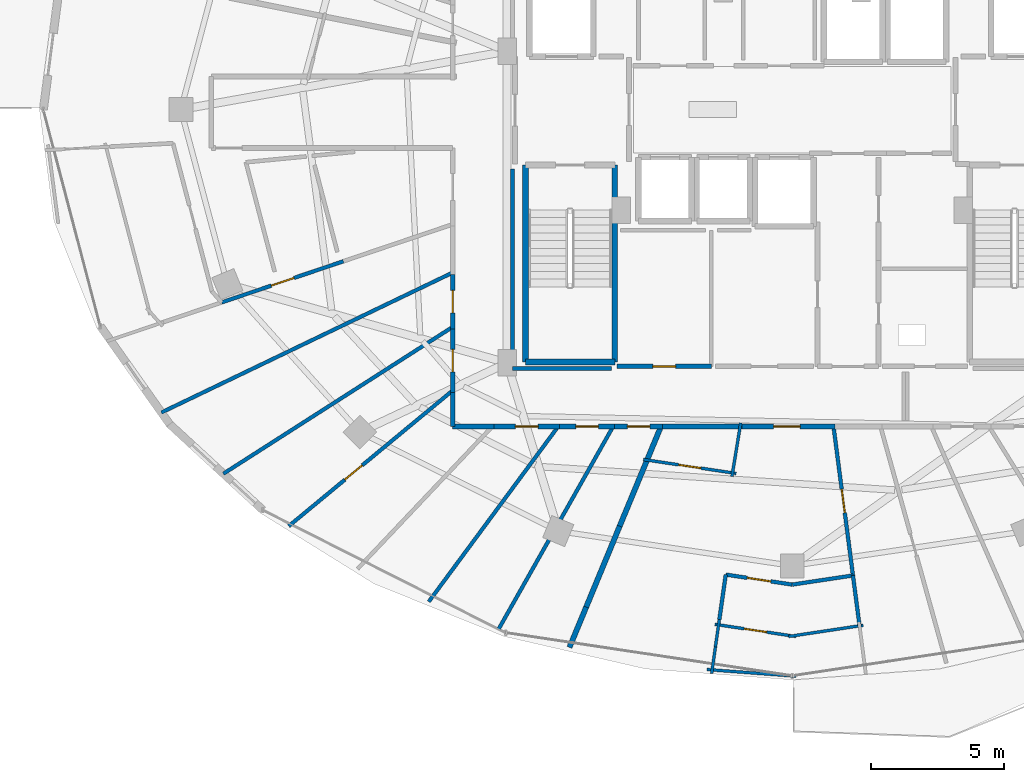
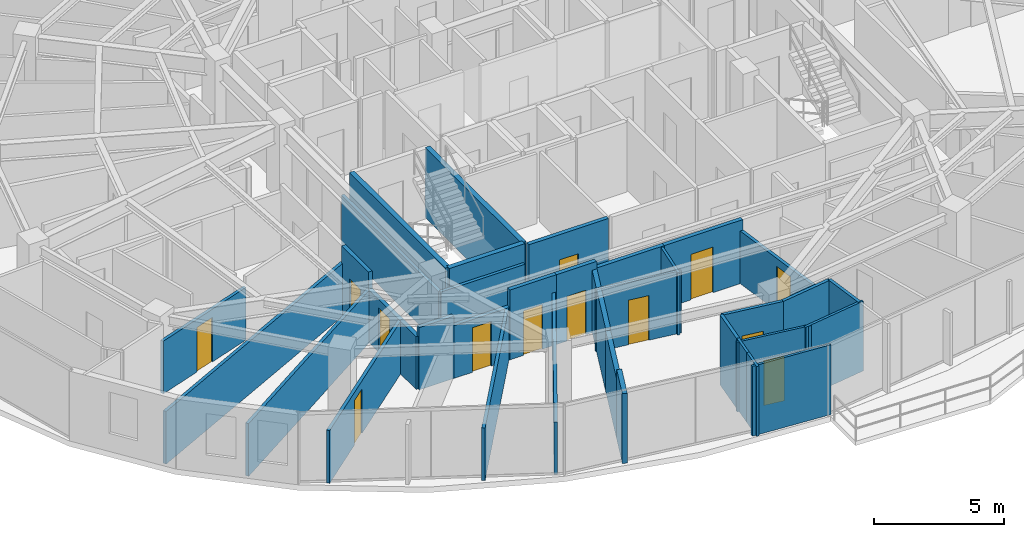
# One storey, part 24 of 34: 36 walls, 13 doors, 13 openings.
"""IFC4 building model written with IfcOpenShell, lengths in metres."""

from ifc_helpers import new_model, si_unit, direction, frame, frame_2d, origin, place, context, subcontext, project, spatial, rectangle, extrude, material, layer, layer_set, type_object, element, fill, save


model = new_model("IFC4")

# Units and contexts
model_context = context("Model", 3, precision=1e-05, world=origin(), true_north=direction((0.0, 1.0)))
body_context = subcontext(model_context, "Body", "Model", "MODEL_VIEW")
ifc_project = project(units=[si_unit("LENGTHUNIT", "METRE"), si_unit("AREAUNIT", "SQUARE_METRE"), si_unit("VOLUMEUNIT", "CUBIC_METRE"), si_unit("PLANEANGLEUNIT", "RADIAN"), si_unit("MASSUNIT", "GRAM", prefix="KILO")], contexts=[model_context])

# Site, building, storey
site_placement = place(None, origin())
site = spatial("IfcSite", under=ifc_project, at=site_placement, CompositionType="ELEMENT")
building_placement = place(site_placement, origin())
building = spatial("IfcBuilding", under=site, at=building_placement, Name="Vorneva Point Tower", CompositionType="ELEMENT")
storey_placement = place(building_placement, frame((0.0, 0.0, 214.300048828125)))
storey = spatial("IfcBuildingStorey", under=building, at=storey_placement, Name="L58", CompositionType="ELEMENT", Elevation=214.300048828125)

# Wall
ifc_material_1 = material(Name="Fire-rated acoustic gypsum stud partition", Category="gypsum")
ifc_layer_1 = layer(ifc_material_1, 0.110107421875)
ifc_layer_set_1 = layer_set([ifc_layer_1], Name="Fire-rated acoustic gypsum stud partition")
wall_type_1 = type_object("IfcWallType", Name="WL-PART-110", PredefinedType="PARTITIONING", material=ifc_layer_set_1)
wall_1_placement = place(storey_placement, frame((36.05859375, 14.18798828125, 0.0), z_axis=(0.0, 0.0, 1.0), x_axis=(-0.16206206721, -0.986780566474, 0.0)))
element("IfcWall", 1, at=wall_1_placement, inside=storey, type_object=wall_type_1, Name="L58 Interior Partition 151", PredefinedType="PARTITIONING", context=body_context, shape_type="SweptSolid", body=[
    extrude(rectangle(XDim=2.05029296875, YDim=0.110107421875, at=frame_2d((1.025146484375, 0.0))), origin(), (0.0, 0.0, 1.0), 2.93603515625),
])

# Wall, opening, door
wall_2_placement = place(storey_placement, frame((35.887451171875, 12.2822265625, 0.0), z_axis=(0.0, 0.0, 1.0), x_axis=(-0.988902415317, 0.148566527121, 0.0)))
wall_2 = element("IfcWall", 2, at=wall_2_placement, inside=storey, type_object=wall_type_1, Name="L58 Interior Partition 152", PredefinedType="PARTITIONING", context=body_context, shape_type="SweptSolid", body=[
    extrude(rectangle(XDim=3.5380859375, YDim=0.110107421875, at=frame_2d((1.76904296875, 0.0))), origin(), (0.0, 0.0, 1.0), 2.93603515625),
])
opening_1_placement = place(wall_2_placement, frame((1.343994140625, 0.0, 0.0)))
opening_1 = element("IfcOpeningElement", 3, at=opening_1_placement, cuts=wall_2, Name="Opening ID-02", PredefinedType="OPENING", context=body_context, shape_type="SweptSolid", body=[
    extrude(rectangle(XDim=0.85009765625, YDim=2.10009765625, at=frame_2d((0.425048828125, 1.050048828125))), frame((0.0, 0.06982421875, 0.0), z_axis=(0.0, -1.0, 0.0), x_axis=(1.0, 0.0, 0.0)), (0.0, 0.0, 1.0), 0.139892578125),
])
ifc_material_2 = material(Name="Engineered oak fire-rated door leaf", Category="wood")
door_type_1 = type_object("IfcDoorType", Name="DR-BATH-850", OperationType="NOTDEFINED", PredefinedType="DOOR", material=ifc_material_2)
door_1_placement = place(opening_1_placement, origin())
door_1 = element("IfcDoor", 4, at=door_1_placement, inside=storey, type_object=door_type_1, Name="L58 Door Living and Dining Room L58-04 / Bathroom L58-04", OperationType="SINGLE_SWING_RIGHT", OverallHeight=2.10009765625, OverallWidth=0.85009765625, PredefinedType="DOOR", context=body_context, shape_type="SweptSolid", body=[
    extrude(rectangle(XDim=0.85009765625, YDim=2.10009765625, at=frame_2d((0.425048828125, 1.050048828125))), frame((0.0, 0.02490234375, 0.0), z_axis=(0.0, -1.0, 0.0), x_axis=(1.0, 0.0, 0.0)), (0.0, 0.0, 1.0), 0.050048828125),
])
fill(opening_1, door_1)

# Walls
wall_3_placement = place(storey_placement, frame((34.780517578125, 4.890380859375, 0.0), z_axis=(0.0, 0.0, 1.0), x_axis=(0.997225868556, -0.07443498561, 0.0)))
element("IfcWall", 5, at=wall_3_placement, inside=storey, type_object=wall_type_1, Name="L58 Interior Partition 153", PredefinedType="PARTITIONING", context=body_context, shape_type="SweptSolid", body=[
    extrude(rectangle(XDim=3.368408203125, YDim=0.110107421875, at=frame_2d((1.68408203125, 0.0))), origin(), (0.0, 0.0, 1.0), 3.2900390625),
])
wall_4_placement = place(storey_placement, frame((34.960205078125, 4.7373046875, 0.0), z_axis=(0.0, 0.0, 1.0), x_axis=(0.141118797845, 0.989992669112, 0.0)))
element("IfcWall", 6, at=wall_4_placement, inside=storey, type_object=wall_type_1, Name="L58 Interior Partition 154", PredefinedType="PARTITIONING", context=body_context, shape_type="SweptSolid", body=[
    extrude(rectangle(XDim=1.129638671875, YDim=0.110107421875, at=frame_2d((0.56494140625, 0.0))), origin(), (0.0, 0.0, 1.0), 3.2900390625),
])
wall_5_placement = place(storey_placement, frame((35.10400390625, 5.746826171875, 0.0), z_axis=(0.0, 0.0, 1.0), x_axis=(0.141751551652, 0.989902266693, 0.0)))
element("IfcWall", 7, at=wall_5_placement, inside=storey, type_object=wall_type_1, Name="L58 Interior Partition 155", PredefinedType="PARTITIONING", context=body_context, shape_type="SweptSolid", body=[
    extrude(rectangle(XDim=1.03515625, YDim=0.110107421875, at=frame_2d((0.517578125, 0.0))), origin(), (0.0, 0.0, 1.0), 3.2900390625),
])
wall_6_placement = place(storey_placement, frame((40.67529296875, 6.558837890625, 0.0), z_axis=(0.0, 0.0, 1.0), x_axis=(-0.988857545323, -0.148864888602, 0.0)))
element("IfcWall", 8, at=wall_6_placement, inside=storey, type_object=wall_type_1, Name="L58 Interior Partition 161", PredefinedType="PARTITIONING", context=body_context, shape_type="SweptSolid", body=[
    extrude(rectangle(XDim=2.845458984375, YDim=0.110107421875, at=frame_2d((1.4228515625, 0.0))), origin(), (0.0, 0.0, 1.0), 3.2900390625),
])

# Wall, opening, door
wall_7_placement = place(storey_placement, frame((38.138427734375, 6.13525390625, 0.0), z_axis=(0.0, 0.0, 1.0), x_axis=(-0.988868983452, 0.148788889259, 0.0)))
wall_7 = element("IfcWall", 9, at=wall_7_placement, inside=storey, type_object=wall_type_1, Name="L58 Interior Partition 162", PredefinedType="PARTITIONING", context=body_context, shape_type="SweptSolid", body=[
    extrude(rectangle(XDim=3.088134765625, YDim=0.110107421875, at=frame_2d((1.5439453125, 0.0))), origin(), (0.0, 0.0, 1.0), 3.2900390625),
])
opening_2_placement = place(wall_7_placement, frame((1.119140625, 0.0, 0.0)))
opening_2 = element("IfcOpeningElement", 10, at=opening_2_placement, cuts=wall_7, Name="Opening ID-02", PredefinedType="OPENING", context=body_context, shape_type="SweptSolid", body=[
    extrude(rectangle(XDim=0.85009765625, YDim=2.10009765625, at=frame_2d((0.425048828125, 1.050048828125))), frame((0.0, 0.06982421875, 0.0), z_axis=(0.0, -1.0, 0.0), x_axis=(1.0, 0.0, 0.0)), (0.0, 0.0, 1.0), 0.139892578125),
])
door_2_placement = place(opening_2_placement, origin())
door_2 = element("IfcDoor", 11, at=door_2_placement, inside=storey, type_object=door_type_1, Name="L58 Access Door Kitchen L58-04", OperationType="SINGLE_SWING_LEFT", OverallHeight=2.10009765625, OverallWidth=0.85009765625, PredefinedType="DOOR", context=body_context, shape_type="SweptSolid", body=[
    extrude(rectangle(XDim=0.85009765625, YDim=2.10009765625, at=frame_2d((0.425048828125, 1.050048828125))), frame((0.0, 0.02490234375, 0.0), z_axis=(0.0, -1.0, 0.0), x_axis=(1.0, 0.0, 0.0)), (0.0, 0.0, 1.0), 0.050048828125),
])
fill(opening_2, door_2)

ifc_layer_2 = layer(ifc_material_1, 0.139892578125)
ifc_layer_set_2 = layer_set([ifc_layer_2], Name="Fire-rated acoustic gypsum stud partition")
wall_type_2 = type_object("IfcWallType", Name="WL-PART-140", PredefinedType="PARTITIONING", material=ifc_layer_set_2)
wall_8_placement = place(storey_placement, frame((16.490966796875, 18.72998046875, 0.0), z_axis=(0.0, 0.0, 1.0), x_axis=(0.947333893653, 0.320247551023, 0.0)))
wall_8 = element("IfcWall", 12, at=wall_8_placement, inside=storey, type_object=wall_type_2, Name="L58 Interior Partition 138", PredefinedType="PARTITIONING", context=body_context, shape_type="SweptSolid", body=[
    extrude(rectangle(XDim=4.84326171875, YDim=0.139892578125, at=frame_2d((2.421630859375, 0.0))), origin(), (0.0, 0.0, 1.0), 2.48193359375),
])
opening_3_placement = place(wall_8_placement, frame((1.971435546875, 0.0, 0.0)))
opening_3 = element("IfcOpeningElement", 13, at=opening_3_placement, cuts=wall_8, Name="Opening ID-01", PredefinedType="OPENING", context=body_context, shape_type="SweptSolid", body=[
    extrude(rectangle(XDim=0.89990234375, YDim=2.10009765625, at=frame_2d((0.449951171875, 1.050048828125))), frame((0.0, 0.0849609375, 0.0), z_axis=(0.0, -1.0, 0.0), x_axis=(1.0, 0.0, 0.0)), (0.0, 0.0, 1.0), 0.169677734375),
])
door_type_2 = type_object("IfcDoorType", Name="DR-ROOM-900", OperationType="NOTDEFINED", PredefinedType="DOOR", material=ifc_material_2)
door_3_placement = place(opening_3_placement, origin())
door_3 = element("IfcDoor", 14, at=door_3_placement, inside=storey, type_object=door_type_2, Name="L58 Door Living and Dining Room L58-03 / Master Bedroom L58-03.1", OperationType="SINGLE_SWING_LEFT", OverallHeight=2.10009765625, OverallWidth=0.89990234375, PredefinedType="DOOR", context=body_context, shape_type="SweptSolid", body=[
    extrude(rectangle(XDim=0.89990234375, YDim=2.10009765625, at=frame_2d((0.449951171875, 1.050048828125))), frame((0.0, 0.02490234375, 0.0), z_axis=(0.0, -1.0, 0.0), x_axis=(1.0, 0.0, 0.0)), (0.0, 0.0, 1.0), 0.050048828125),
])
fill(opening_3, door_3)

# Walls
wall_9_placement = place(storey_placement, frame((14.217041015625, 14.5791015625, 0.0), z_axis=(0.0, 0.0, 1.0), x_axis=(0.901423599975, 0.432938209689, 0.0)))
element("IfcWall", 15, at=wall_9_placement, inside=storey, type_object=wall_type_2, Name="L58 Interior Partition 142", PredefinedType="PARTITIONING", context=body_context, shape_type="SweptSolid", body=[
    extrude(rectangle(XDim=12.18408203125, YDim=0.139892578125, at=frame_2d((6.092041015625, 0.0))), origin(), (0.0, 0.0, 1.0), 2.48193359375),
])
wall_10_placement = place(storey_placement, frame((16.554931640625, 12.27197265625, 0.0), z_axis=(0.0, 0.0, 1.0), x_axis=(0.842221721565, 0.539131312135, 0.0)))
element("IfcWall", 16, at=wall_10_placement, inside=storey, type_object=wall_type_2, Name="L58 Interior Partition 143", PredefinedType="PARTITIONING", context=body_context, shape_type="SweptSolid", body=[
    extrude(rectangle(XDim=10.2646484375, YDim=0.139892578125, at=frame_2d((5.13232421875, 0.0))), origin(), (0.0, 0.0, 1.0), 2.48193359375),
])

# Wall, opening, door
wall_11_placement = place(storey_placement, frame((19.02001953125, 10.298095703125, 0.0), z_axis=(0.0, 0.0, 1.0), x_axis=(0.770494327523, 0.637446853671, 0.0)))
wall_11 = element("IfcWall", 17, at=wall_11_placement, inside=storey, type_object=wall_type_2, Name="L58 Interior Partition 144", PredefinedType="PARTITIONING", context=body_context, shape_type="SweptSolid", body=[
    extrude(rectangle(XDim=8.020751953125, YDim=0.139892578125, at=frame_2d((4.01025390625, 0.0))), origin(), (0.0, 0.0, 1.0), 2.48193359375),
])
opening_4_placement = place(wall_11_placement, frame((2.74560546875, 0.0, 0.0)))
opening_4 = element("IfcOpeningElement", 18, at=opening_4_placement, cuts=wall_11, Name="Opening ID-02", PredefinedType="OPENING", context=body_context, shape_type="SweptSolid", body=[
    extrude(rectangle(XDim=0.85009765625, YDim=2.10009765625, at=frame_2d((0.425048828125, 1.050048828125))), frame((0.0, 0.0849609375, 0.0), z_axis=(0.0, -1.0, 0.0), x_axis=(1.0, 0.0, 0.0)), (0.0, 0.0, 1.0), 0.169677734375),
])
door_4_placement = place(opening_4_placement, origin())
door_4 = element("IfcDoor", 19, at=door_4_placement, inside=storey, type_object=door_type_1, Name="L58 Access Door Bedroom L58-03.3", OperationType="SINGLE_SWING_LEFT", OverallHeight=2.10009765625, OverallWidth=0.85009765625, PredefinedType="DOOR", context=body_context, shape_type="SweptSolid", body=[
    extrude(rectangle(XDim=0.85009765625, YDim=2.10009765625, at=frame_2d((0.425048828125, 1.050048828125))), frame((0.0, 0.02490234375, 0.0), z_axis=(0.0, -1.0, 0.0), x_axis=(1.0, 0.0, 0.0)), (0.0, 0.0, 1.0), 0.050048828125),
])
fill(opening_4, door_4)

# Walls
wall_12_placement = place(storey_placement, frame((24.298095703125, 7.448974609375, 0.0), z_axis=(0.0, 0.0, 1.0), x_axis=(0.594148459094, 0.804355399408, 0.0)))
element("IfcWall", 20, at=wall_12_placement, inside=storey, type_object=wall_type_2, Name="L58 Interior Partition 146", PredefinedType="PARTITIONING", context=body_context, shape_type="SweptSolid", body=[
    extrude(rectangle(XDim=8.20654296875, YDim=0.139892578125, at=frame_2d((4.103271484375, 0.0))), origin(), (0.0, 0.0, 1.0), 2.48193359375),
])
wall_13_placement = place(storey_placement, frame((26.916015625, 6.388916015625, 0.0), z_axis=(0.0, 0.0, 1.0), x_axis=(0.492046286697, 0.870569039047, 0.0)))
element("IfcWall", 21, at=wall_13_placement, inside=storey, type_object=wall_type_2, Name="L58 Interior Partition 147", PredefinedType="PARTITIONING", context=body_context, shape_type="SweptSolid", body=[
    extrude(rectangle(XDim=8.800048828125, YDim=0.139892578125, at=frame_2d((4.39990234375, 0.0))), origin(), (0.0, 0.0, 1.0), 2.48193359375),
])
wall_14_placement = place(storey_placement, frame((35.2509765625, 6.771484375, 0.0), z_axis=(0.0, 0.0, 1.0), x_axis=(0.141660537741, 0.98991529539, 0.0)))
element("IfcWall", 22, at=wall_14_placement, inside=storey, type_object=wall_type_2, Name="L58 Interior Partition 156", PredefinedType="PARTITIONING", context=body_context, shape_type="SweptSolid", body=[
    extrude(rectangle(XDim=1.71484375, YDim=0.139892578125, at=frame_2d((0.857421875, 0.0))), origin(), (0.0, 0.0, 1.0), 3.2900390625),
])

# Wall, opening, door
wall_15_placement = place(storey_placement, frame((35.493896484375, 8.468994140625, 0.0), z_axis=(0.0, 0.0, 1.0), x_axis=(0.988876209798, -0.148740854158, 0.0)))
wall_15 = element("IfcWall", 23, at=wall_15_placement, inside=storey, type_object=wall_type_2, Name="L58 Interior Partition 157", PredefinedType="PARTITIONING", context=body_context, shape_type="SweptSolid", body=[
    extrude(rectangle(XDim=2.5341796875, YDim=0.139892578125, at=frame_2d((1.26708984375, 0.0))), origin(), (0.0, 0.0, 1.0), 3.2900390625),
])
opening_5_placement = place(wall_15_placement, frame((0.817138671875, 0.0, 0.0)))
opening_5 = element("IfcOpeningElement", 24, at=opening_5_placement, cuts=wall_15, Name="Opening ID-01", PredefinedType="OPENING", context=body_context, shape_type="SweptSolid", body=[
    extrude(rectangle(XDim=0.89990234375, YDim=2.10009765625, at=frame_2d((0.449951171875, 1.050048828125))), frame((0.0, 0.0849609375, 0.0), z_axis=(0.0, -1.0, 0.0), x_axis=(1.0, 0.0, 0.0)), (0.0, 0.0, 1.0), 0.169677734375),
])
door_5_placement = place(opening_5_placement, origin())
door_5 = element("IfcDoor", 25, at=door_5_placement, inside=storey, type_object=door_type_2, Name="L58 Door Living and Dining Room L58-04 / Study Room L58-04", OperationType="SINGLE_SWING_LEFT", OverallHeight=2.10009765625, OverallWidth=0.89990234375, PredefinedType="DOOR", context=body_context, shape_type="SweptSolid", body=[
    extrude(rectangle(XDim=0.89990234375, YDim=2.10009765625, at=frame_2d((0.449951171875, 1.050048828125))), frame((0.0, 0.02490234375, 0.0), z_axis=(0.0, -1.0, 0.0), x_axis=(1.0, 0.0, 0.0)), (0.0, 0.0, 1.0), 0.050048828125),
])
fill(opening_5, door_5)

# Walls
wall_16_placement = place(storey_placement, frame((38.0, 8.092041015625, 0.0), z_axis=(0.0, 0.0, 1.0), x_axis=(0.988896087956, 0.148608637791, 0.0)))
element("IfcWall", 26, at=wall_16_placement, inside=storey, type_object=wall_type_2, Name="L58 Interior Partition 158", PredefinedType="PARTITIONING", context=body_context, shape_type="SweptSolid", body=[
    extrude(rectangle(XDim=2.314697265625, YDim=0.139892578125, at=frame_2d((1.1572265625, 0.0))), origin(), (0.0, 0.0, 1.0), 3.2900390625),
])
wall_17_placement = place(storey_placement, frame((40.2890625, 8.43603515625, 0.0), z_axis=(0.0, 0.0, 1.0), x_axis=(0.12959001093, -0.991567662375, 0.0)))
element("IfcWall", 27, at=wall_17_placement, inside=storey, type_object=wall_type_2, Name="L58 Interior Partition 159", PredefinedType="PARTITIONING", context=body_context, shape_type="SweptSolid", body=[
    extrude(rectangle(XDim=1.9140625, YDim=0.139892578125, at=frame_2d((0.95703125, 0.0))), origin(), (0.0, 0.0, 1.0), 3.2900390625),
])

# Wall, opening, door
wall_18_placement = place(storey_placement, frame((40.289306640625, 8.43603515625, 0.0), z_axis=(0.0, 0.0, 1.0), x_axis=(-0.12936683678, 0.991596803919, 0.0)))
wall_18 = element("IfcWall", 28, at=wall_18_placement, inside=storey, type_object=wall_type_2, Name="L58 Interior Partition 160", PredefinedType="PARTITIONING", context=body_context, shape_type="SweptSolid", body=[
    extrude(rectangle(XDim=5.66162109375, YDim=0.139892578125, at=frame_2d((2.830810546875, 0.0))), origin(), (0.0, 0.0, 1.0), 2.48193359375),
])
opening_6_placement = place(wall_18_placement, frame((2.380615234375, 0.0, 0.0)))
opening_6 = element("IfcOpeningElement", 29, at=opening_6_placement, cuts=wall_18, Name="Opening ID-01", PredefinedType="OPENING", context=body_context, shape_type="SweptSolid", body=[
    extrude(rectangle(XDim=0.89990234375, YDim=2.10009765625, at=frame_2d((0.449951171875, 1.050048828125))), frame((0.0, 0.0849609375, 0.0), z_axis=(0.0, -1.0, 0.0), x_axis=(1.0, 0.0, 0.0)), (0.0, 0.0, 1.0), 0.169677734375),
])
door_6_placement = place(opening_6_placement, origin())
door_6 = element("IfcDoor", 30, at=door_6_placement, inside=storey, type_object=door_type_2, Name="L58 Door Living and Dining Room L58-04 / Master Bedroom L58-04.1", OperationType="SINGLE_SWING_LEFT", OverallHeight=2.10009765625, OverallWidth=0.89990234375, PredefinedType="DOOR", context=body_context, shape_type="SweptSolid", body=[
    extrude(rectangle(XDim=0.89990234375, YDim=2.10009765625, at=frame_2d((0.449951171875, 1.050048828125))), frame((0.0, 0.02490234375, 0.0), z_axis=(0.0, -1.0, 0.0), x_axis=(1.0, 0.0, 0.0)), (0.0, 0.0, 1.0), 0.050048828125),
])
fill(opening_6, door_6)

# Walls
wall_19_placement = place(storey_placement, frame((27.449951171875, 23.75390625, 0.0), z_axis=(0.0, 0.0, 1.0), x_axis=(0.0, -1.0, 0.0)))
element("IfcWall", 31, at=wall_19_placement, inside=storey, type_object=wall_type_2, Name="L58 Interior Closure Partition 187", PredefinedType="PARTITIONING", context=body_context, shape_type="SweptSolid", body=[
    extrude(rectangle(XDim=7.513916015625, YDim=0.139892578125, at=frame_2d((3.7568359375, 0.0))), origin(), (0.0, 0.0, 1.0), 2.48193359375),
])
wall_20_placement = place(storey_placement, frame((27.449951171875, 16.239990234375, 0.0), z_axis=(0.0, 0.0, 1.0), x_axis=(1.0, 0.0, 0.0)))
element("IfcWall", 32, at=wall_20_placement, inside=storey, type_object=wall_type_2, Name="L58 Interior Closure Partition 188", PredefinedType="PARTITIONING", context=body_context, shape_type="SweptSolid", body=[
    extrude(rectangle(XDim=3.7451171875, YDim=0.139892578125, at=frame_2d((1.87255859375, 0.0))), origin(), (0.0, 0.0, 1.0), 2.48193359375),
])

# Wall, opening, door
ifc_material_3 = material(Name="Autoclaved aerated concrete blockwork", Category="masonry")
ifc_layer_3 = layer(ifc_material_3, 0.179931640625)
ifc_layer_set_3 = layer_set([ifc_layer_3], Name="Autoclaved aerated concrete blockwork")
wall_type_3 = type_object("IfcWallType", Name="WL-PART-180", PredefinedType="PARTITIONING", material=ifc_layer_set_3)
wall_21_placement = place(storey_placement, frame((31.39990234375, 16.320068359375, 0.0), z_axis=(0.0, 0.0, 1.0), x_axis=(1.0, 0.0, 0.0)))
wall_21 = element("IfcWall", 33, at=wall_21_placement, inside=storey, type_object=wall_type_3, Name="L58 Interior Partition 032", PredefinedType="PARTITIONING", context=body_context, shape_type="SweptSolid", body=[
    extrude(rectangle(XDim=3.550048828125, YDim=0.179931640625, at=frame_2d((1.77490234375, 0.0))), origin(), (0.0, 0.0, 1.0), 3.2900390625),
])
opening_7_placement = place(wall_21_placement, frame((1.35009765625, 0.0, 0.0)))
opening_7 = element("IfcOpeningElement", 34, at=opening_7_placement, cuts=wall_21, Name="Opening ID-02", PredefinedType="OPENING", context=body_context, shape_type="SweptSolid", body=[
    extrude(rectangle(XDim=0.85009765625, YDim=2.10009765625, at=frame_2d((0.425048828125, 1.050048828125))), frame((0.0, 0.10498046875, 0.0), z_axis=(0.0, -1.0, 0.0), x_axis=(1.0, 0.0, 0.0)), (0.0, 0.0, 1.0), 0.209716796875),
])
door_7_placement = place(opening_7_placement, origin())
door_7 = element("IfcDoor", 35, at=door_7_placement, inside=storey, type_object=door_type_1, Name="L58 Door Luggage Store / L58 Circulation Corridor", OperationType="SINGLE_SWING_LEFT", OverallHeight=2.10009765625, OverallWidth=0.85009765625, PredefinedType="DOOR", context=body_context, shape_type="SweptSolid", body=[
    extrude(rectangle(XDim=0.85009765625, YDim=2.10009765625, at=frame_2d((0.425048828125, 1.050048828125))), frame((0.0, 0.02490234375, 0.0), z_axis=(0.0, -1.0, 0.0), x_axis=(1.0, 0.0, 0.0)), (0.0, 0.0, 1.0), 0.050048828125),
])
fill(opening_7, door_7)

wall_22_placement = place(storey_placement, frame((25.199951171875, 19.787109375, 0.0), z_axis=(0.0, 0.0, 1.0), x_axis=(0.0, -1.0, 0.0)))
wall_22 = element("IfcWall", 36, at=wall_22_placement, inside=storey, type_object=wall_type_3, Name="L58 Interior Partition 063", PredefinedType="PARTITIONING", context=body_context, shape_type="SweptSolid", body=[
    extrude(rectangle(XDim=2.052001953125, YDim=0.179931640625, at=frame_2d((1.02587890625, 0.0))), origin(), (0.0, 0.0, 1.0), 3.2900390625),
])
opening_8_placement = place(wall_22_placement, frame((0.60107421875, 0.0, 0.0)))
opening_8 = element("IfcOpeningElement", 37, at=opening_8_placement, cuts=wall_22, Name="Opening ID-02", PredefinedType="OPENING", context=body_context, shape_type="SweptSolid", body=[
    extrude(rectangle(XDim=0.85009765625, YDim=2.10009765625, at=frame_2d((0.425048828125, 1.050048828125))), frame((0.0, 0.10498046875, 0.0), z_axis=(0.0, -1.0, 0.0), x_axis=(1.0, 0.0, 0.0)), (0.0, 0.0, 1.0), 0.209716796875),
])
door_8_placement = place(opening_8_placement, origin())
door_8 = element("IfcDoor", 38, at=door_8_placement, inside=storey, type_object=door_type_1, Name="L58 Access Door L58 Circulation Corridor", OperationType="SINGLE_SWING_LEFT", OverallHeight=2.10009765625, OverallWidth=0.85009765625, PredefinedType="DOOR", context=body_context, shape_type="SweptSolid", body=[
    extrude(rectangle(XDim=0.85009765625, YDim=2.10009765625, at=frame_2d((0.425048828125, 1.050048828125))), frame((0.0, 0.02490234375, 0.0), z_axis=(0.0, -1.0, 0.0), x_axis=(1.0, 0.0, 0.0)), (0.0, 0.0, 1.0), 0.050048828125),
])
fill(opening_8, door_8)

wall_23_placement = place(storey_placement, frame((25.199951171875, 17.735107421875, 0.0), z_axis=(0.0, 0.0, 1.0), x_axis=(0.0, -1.0, 0.0)))
wall_23 = element("IfcWall", 39, at=wall_23_placement, inside=storey, type_object=wall_type_3, Name="L58 Interior Partition 064", PredefinedType="PARTITIONING", context=body_context, shape_type="SweptSolid", body=[
    extrude(rectangle(XDim=2.402099609375, YDim=0.179931640625, at=frame_2d((1.201171875, 0.0))), origin(), (0.0, 0.0, 1.0), 2.48193359375),
])
opening_9_placement = place(wall_23_placement, frame((0.77587890625, 0.0, 0.0)))
opening_9 = element("IfcOpeningElement", 40, at=opening_9_placement, cuts=wall_23, Name="Opening ID-02", PredefinedType="OPENING", context=body_context, shape_type="SweptSolid", body=[
    extrude(rectangle(XDim=0.85009765625, YDim=2.10009765625, at=frame_2d((0.425048828125, 1.050048828125))), frame((0.0, 0.10498046875, 0.0), z_axis=(0.0, -1.0, 0.0), x_axis=(1.0, 0.0, 0.0)), (0.0, 0.0, 1.0), 0.209716796875),
])
door_9_placement = place(opening_9_placement, origin())
door_9 = element("IfcDoor", 41, at=door_9_placement, inside=storey, type_object=door_type_1, Name="L58 Access Door L58 Circulation Corridor", OperationType="SINGLE_SWING_RIGHT", OverallHeight=2.10009765625, OverallWidth=0.85009765625, PredefinedType="DOOR", context=body_context, shape_type="SweptSolid", body=[
    extrude(rectangle(XDim=0.85009765625, YDim=2.10009765625, at=frame_2d((0.425048828125, 1.050048828125))), frame((0.0, 0.02490234375, 0.0), z_axis=(0.0, -1.0, 0.0), x_axis=(1.0, 0.0, 0.0)), (0.0, 0.0, 1.0), 0.050048828125),
])
fill(opening_9, door_9)

# Walls
wall_24_placement = place(storey_placement, frame((25.199951171875, 15.3330078125, 0.0), z_axis=(0.0, 0.0, 1.0), x_axis=(0.0, -1.0, 0.0)))
element("IfcWall", 42, at=wall_24_placement, inside=storey, type_object=wall_type_3, Name="L58 Interior Partition 065", PredefinedType="PARTITIONING", context=body_context, shape_type="SweptSolid", body=[
    extrude(rectangle(XDim=1.282958984375, YDim=0.179931640625, at=frame_2d((0.6416015625, 0.0))), origin(), (0.0, 0.0, 1.0), 2.48193359375),
])
wall_25_placement = place(storey_placement, frame((25.199951171875, 14.050048828125, 0.0), z_axis=(0.0, 0.0, 1.0), x_axis=(1.0, 0.0, 0.0)))
element("IfcWall", 43, at=wall_25_placement, inside=storey, type_object=wall_type_3, Name="L58 Interior Partition 066", PredefinedType="PARTITIONING", context=body_context, shape_type="SweptSolid", body=[
    extrude(rectangle(XDim=1.550048828125, YDim=0.179931640625, at=frame_2d((0.77490234375, 0.0))), origin(), (0.0, 0.0, 1.0), 2.93603515625),
])

# Wall, opening, door
wall_26_placement = place(storey_placement, frame((26.75, 14.050048828125, 0.0), z_axis=(0.0, 0.0, 1.0), x_axis=(1.0, 0.0, 0.0)))
wall_26 = element("IfcWall", 44, at=wall_26_placement, inside=storey, type_object=wall_type_3, Name="L58 Interior Partition 067", PredefinedType="PARTITIONING", context=body_context, shape_type="SweptSolid", body=[
    extrude(rectangle(XDim=2.48388671875, YDim=0.179931640625, at=frame_2d((1.241943359375, 0.0))), origin(), (0.0, 0.0, 1.0), 2.48193359375),
])
opening_10_placement = place(wall_26_placement, frame((0.81689453125, 0.0, 0.0)))
opening_10 = element("IfcOpeningElement", 45, at=opening_10_placement, cuts=wall_26, Name="Opening ID-02", PredefinedType="OPENING", context=body_context, shape_type="SweptSolid", body=[
    extrude(rectangle(XDim=0.85009765625, YDim=2.10009765625, at=frame_2d((0.425048828125, 1.050048828125))), frame((0.0, 0.10498046875, 0.0), z_axis=(0.0, -1.0, 0.0), x_axis=(1.0, 0.0, 0.0)), (0.0, 0.0, 1.0), 0.209716796875),
])
door_10_placement = place(opening_10_placement, origin())
door_10 = element("IfcDoor", 46, at=door_10_placement, inside=storey, type_object=door_type_1, Name="L58 Access Door L58 Circulation Corridor", OperationType="SINGLE_SWING_LEFT", OverallHeight=2.10009765625, OverallWidth=0.85009765625, PredefinedType="DOOR", context=body_context, shape_type="SweptSolid", body=[
    extrude(rectangle(XDim=0.85009765625, YDim=2.10009765625, at=frame_2d((0.425048828125, 1.050048828125))), frame((0.0, 0.02490234375, 0.0), z_axis=(0.0, -1.0, 0.0), x_axis=(1.0, 0.0, 0.0)), (0.0, 0.0, 1.0), 0.050048828125),
])
fill(opening_10, door_10)

wall_27_placement = place(storey_placement, frame((29.23388671875, 14.050048828125, 0.0), z_axis=(0.0, 0.0, 1.0), x_axis=(1.0, 0.0, 0.0)))
wall_27 = element("IfcWall", 47, at=wall_27_placement, inside=storey, type_object=wall_type_3, Name="L58 Interior Partition 068", PredefinedType="PARTITIONING", context=body_context, shape_type="SweptSolid", body=[
    extrude(rectangle(XDim=2.072021484375, YDim=0.179931640625, at=frame_2d((1.0361328125, 0.0))), origin(), (0.0, 0.0, 1.0), 3.2900390625),
])
opening_11_placement = place(wall_27_placement, frame((0.611083984375, 0.0, 0.0)))
opening_11 = element("IfcOpeningElement", 48, at=opening_11_placement, cuts=wall_27, Name="Opening ID-02", PredefinedType="OPENING", context=body_context, shape_type="SweptSolid", body=[
    extrude(rectangle(XDim=0.85009765625, YDim=2.10009765625, at=frame_2d((0.425048828125, 1.050048828125))), frame((0.0, 0.10498046875, 0.0), z_axis=(0.0, -1.0, 0.0), x_axis=(1.0, 0.0, 0.0)), (0.0, 0.0, 1.0), 0.209716796875),
])
door_11_placement = place(opening_11_placement, origin())
door_11 = element("IfcDoor", 49, at=door_11_placement, inside=storey, type_object=door_type_1, Name="L58 Access Door L58 Circulation Corridor", OperationType="SINGLE_SWING_RIGHT", OverallHeight=2.10009765625, OverallWidth=0.85009765625, PredefinedType="DOOR", context=body_context, shape_type="SweptSolid", body=[
    extrude(rectangle(XDim=0.85009765625, YDim=2.10009765625, at=frame_2d((0.425048828125, 1.050048828125))), frame((0.0, 0.02490234375, 0.0), z_axis=(0.0, -1.0, 0.0), x_axis=(1.0, 0.0, 0.0)), (0.0, 0.0, 1.0), 0.050048828125),
])
fill(opening_11, door_11)

wall_28_placement = place(storey_placement, frame((31.305908203125, 14.050048828125, 0.0), z_axis=(0.0, 0.0, 1.0), x_axis=(1.0, 0.0, 0.0)))
wall_28 = element("IfcWall", 50, at=wall_28_placement, inside=storey, type_object=wall_type_3, Name="L58 Interior Partition 069", PredefinedType="PARTITIONING", context=body_context, shape_type="SweptSolid", body=[
    extrude(rectangle(XDim=1.80419921875, YDim=0.179931640625, at=frame_2d((0.902099609375, 0.0))), origin(), (0.0, 0.0, 1.0), 3.2900390625),
])
opening_12_placement = place(wall_28_placement, frame((0.47705078125, 0.0, 0.0)))
opening_12 = element("IfcOpeningElement", 51, at=opening_12_placement, cuts=wall_28, Name="Opening ID-02", PredefinedType="OPENING", context=body_context, shape_type="SweptSolid", body=[
    extrude(rectangle(XDim=0.85009765625, YDim=2.10009765625, at=frame_2d((0.425048828125, 1.050048828125))), frame((0.0, 0.10498046875, 0.0), z_axis=(0.0, -1.0, 0.0), x_axis=(1.0, 0.0, 0.0)), (0.0, 0.0, 1.0), 0.209716796875),
])
door_12_placement = place(opening_12_placement, origin())
door_12 = element("IfcDoor", 52, at=door_12_placement, inside=storey, type_object=door_type_1, Name="L58 Access Door L58 Circulation Corridor", OperationType="SINGLE_SWING_LEFT", OverallHeight=2.10009765625, OverallWidth=0.85009765625, PredefinedType="DOOR", context=body_context, shape_type="SweptSolid", body=[
    extrude(rectangle(XDim=0.85009765625, YDim=2.10009765625, at=frame_2d((0.425048828125, 1.050048828125))), frame((0.0, 0.02490234375, 0.0), z_axis=(0.0, -1.0, 0.0), x_axis=(1.0, 0.0, 0.0)), (0.0, 0.0, 1.0), 0.050048828125),
])
fill(opening_12, door_12)

wall_29_placement = place(storey_placement, frame((35.97509765625, 14.050048828125, 0.0), z_axis=(0.0, 0.0, 1.0), x_axis=(1.0, 0.0, 0.0)))
wall_29 = element("IfcWall", 53, at=wall_29_placement, inside=storey, type_object=wall_type_3, Name="L58 Interior Partition 070", PredefinedType="PARTITIONING", context=body_context, shape_type="SweptSolid", body=[
    extrude(rectangle(XDim=3.642822265625, YDim=0.179931640625, at=frame_2d((1.8212890625, 0.0))), origin(), (0.0, 0.0, 1.0), 2.97900390625),
])
opening_13_placement = place(wall_29_placement, frame((1.321533203125, 0.0, 0.0)))
opening_13 = element("IfcOpeningElement", 54, at=opening_13_placement, cuts=wall_29, Name="Opening UD-01", PredefinedType="OPENING", context=body_context, shape_type="SweptSolid", body=[
    extrude(rectangle(XDim=1.0, YDim=2.14990234375, at=frame_2d((0.5, 1.074951171875))), frame((0.0, 0.10498046875, 0.0), z_axis=(0.0, -1.0, 0.0), x_axis=(1.0, 0.0, 0.0)), (0.0, 0.0, 1.0), 0.209716796875),
])
door_type_3 = type_object("IfcDoorType", Name="DR-UNIT-1000", OperationType="NOTDEFINED", PredefinedType="DOOR", material=ifc_material_2)
door_13_placement = place(opening_13_placement, origin())
door_13 = element("IfcDoor", 55, at=door_13_placement, inside=storey, type_object=door_type_3, Name="L58 Door L58 Circulation Corridor / Living and Dining Room L58-04", OperationType="SINGLE_SWING_LEFT", OverallHeight=2.14990234375, OverallWidth=1.0, PredefinedType="DOOR", context=body_context, shape_type="SweptSolid", body=[
    extrude(rectangle(XDim=1.0, YDim=2.14990234375, at=frame_2d((0.5, 1.074951171875))), frame((0.0, 0.02490234375, 0.0), z_axis=(0.0, -1.0, 0.0), x_axis=(1.0, 0.0, 0.0)), (0.0, 0.0, 1.0), 0.050048828125),
])
fill(opening_13, door_13)

# Walls
wall_30_placement = place(storey_placement, frame((32.969970703125, 14.050048828125, 0.0), z_axis=(0.0, 0.0, 1.0), x_axis=(1.0, 0.0, 0.0)))
element("IfcWall", 56, at=wall_30_placement, inside=storey, type_object=wall_type_3, Name="L58 Interior Partition 071", PredefinedType="PARTITIONING", context=body_context, shape_type="SweptSolid", body=[
    extrude(rectangle(XDim=3.14501953125, YDim=0.179931640625, at=frame_2d((1.572509765625, 0.0))), origin(), (0.0, 0.0, 1.0), 2.97900390625),
])
ifc_layer_4 = layer(ifc_material_3, 0.199951171875)
ifc_layer_set_4 = layer_set([ifc_layer_4], Name="Autoclaved aerated concrete blockwork")
wall_type_4 = type_object("IfcWallType", Name="WL-PART-200", PredefinedType="PARTITIONING", material=ifc_layer_set_4)
wall_31_placement = place(storey_placement, frame((30.23095703125, 7.242919921875, 0.0), z_axis=(0.0, 0.0, 1.0), x_axis=(0.382467158794, 0.923969086303, 0.0)))
element("IfcWall", 57, at=wall_31_placement, inside=storey, type_object=wall_type_4, Name="L58 Interior Partition 148", PredefinedType="PARTITIONING", context=body_context, shape_type="SweptSolid", body=[
    extrude(rectangle(XDim=3.302001953125, YDim=0.199951171875, at=frame_2d((1.65087890625, 0.0))), origin(), (0.0, 0.0, 1.0), 2.823974609375),
])
wall_32_placement = place(storey_placement, frame((31.493896484375, 10.2939453125, 0.0), z_axis=(0.0, 0.0, 1.0), x_axis=(0.382751310383, 0.923851413594, 0.0)))
element("IfcWall", 58, at=wall_32_placement, inside=storey, type_object=wall_type_4, Name="L58 Interior Partition 149", PredefinedType="PARTITIONING", context=body_context, shape_type="SweptSolid", body=[
    extrude(rectangle(XDim=4.065673828125, YDim=0.199951171875, at=frame_2d((2.03271484375, 0.0))), origin(), (0.0, 0.0, 1.0), 2.93603515625),
])
wall_33_placement = place(storey_placement, frame((29.60205078125, 5.72509765625, 0.0), z_axis=(0.0, 0.0, 1.0), x_axis=(0.382789247432, 0.923835695376, 0.0)))
element("IfcWall", 59, at=wall_33_placement, inside=storey, type_object=wall_type_4, Name="L58 Interior Partition 150", PredefinedType="PARTITIONING", context=body_context, shape_type="SweptSolid", body=[
    extrude(rectangle(XDim=1.64306640625, YDim=0.199951171875, at=frame_2d((0.821533203125, 0.0))), origin(), (0.0, 0.0, 1.0), 3.2900390625),
])
ifc_material_4 = material(Name="Concrete B50 (C40/50)", Category="concrete")
ifc_layer_5 = layer(ifc_material_4, 0.219970703125)
ifc_layer_set_5 = layer_set([ifc_layer_5], Name="Concrete B50 (C40/50)")
wall_type_5 = type_object("IfcWallType", Name="WL-SHFT-220", PredefinedType="SOLIDWALL", material=ifc_layer_set_5)
wall_34_placement = place(storey_placement, frame((31.31005859375, 23.909912109375, 0.0), z_axis=(0.0, 0.0, 1.0), x_axis=(0.0, -1.0, 0.0)))
element("IfcWall", 60, at=wall_34_placement, inside=storey, type_object=wall_type_5, Name="L58 Exit Stair ST1 Shaft Wall right", PredefinedType="SOLIDWALL", context=body_context, shape_type="SweptSolid", body=[
    extrude(rectangle(XDim=7.419921875, YDim=0.219970703125, at=frame_2d((3.7099609375, 0.0))), origin(), (0.0, 0.0, 1.0), 3.2900390625),
])
wall_35_placement = place(storey_placement, frame((31.31005859375, 16.489990234375, 0.0), z_axis=(0.0, 0.0, 1.0), x_axis=(-1.0, 0.0, 0.0)))
element("IfcWall", 61, at=wall_35_placement, inside=storey, type_object=wall_type_5, Name="L58 Exit Stair ST1 Shaft Wall far", PredefinedType="SOLIDWALL", context=body_context, shape_type="SweptSolid", body=[
    extrude(rectangle(XDim=3.3701171875, YDim=0.219970703125, at=frame_2d((1.68505859375, 0.0))), origin(), (0.0, 0.0, 1.0), 3.2900390625),
])
wall_36_placement = place(storey_placement, frame((27.93994140625, 16.489990234375, 0.0), z_axis=(0.0, 0.0, 1.0), x_axis=(0.0, 1.0, 0.0)))
element("IfcWall", 62, at=wall_36_placement, inside=storey, type_object=wall_type_5, Name="L58 Exit Stair ST1 Shaft Wall left", PredefinedType="SOLIDWALL", context=body_context, shape_type="SweptSolid", body=[
    extrude(rectangle(XDim=7.419921875, YDim=0.219970703125, at=frame_2d((3.7099609375, 0.0))), origin(), (0.0, 0.0, 1.0), 3.2900390625),
])

save(model, "model.ifc")
